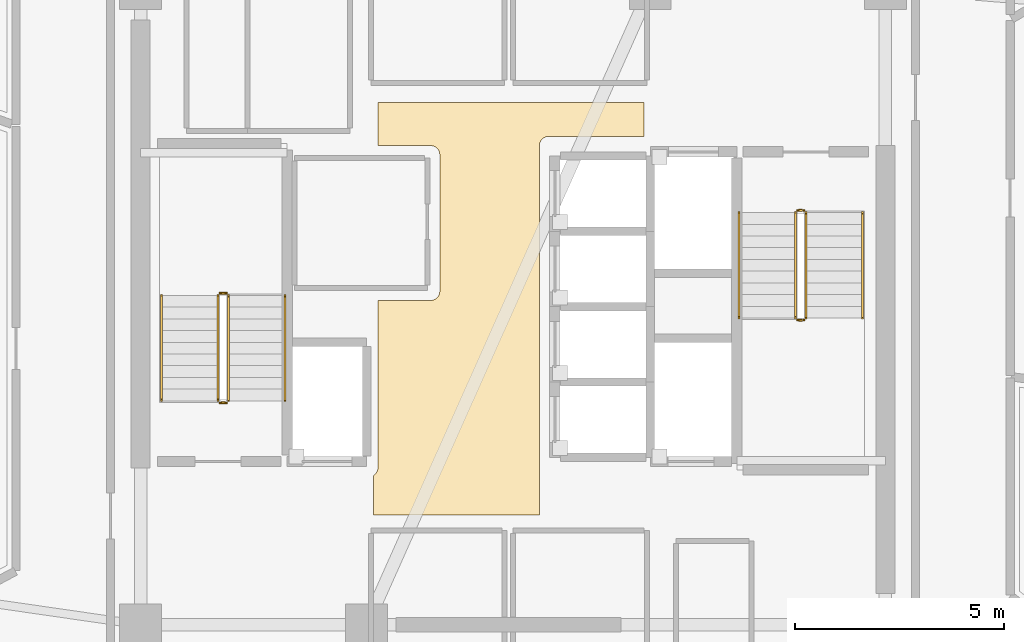
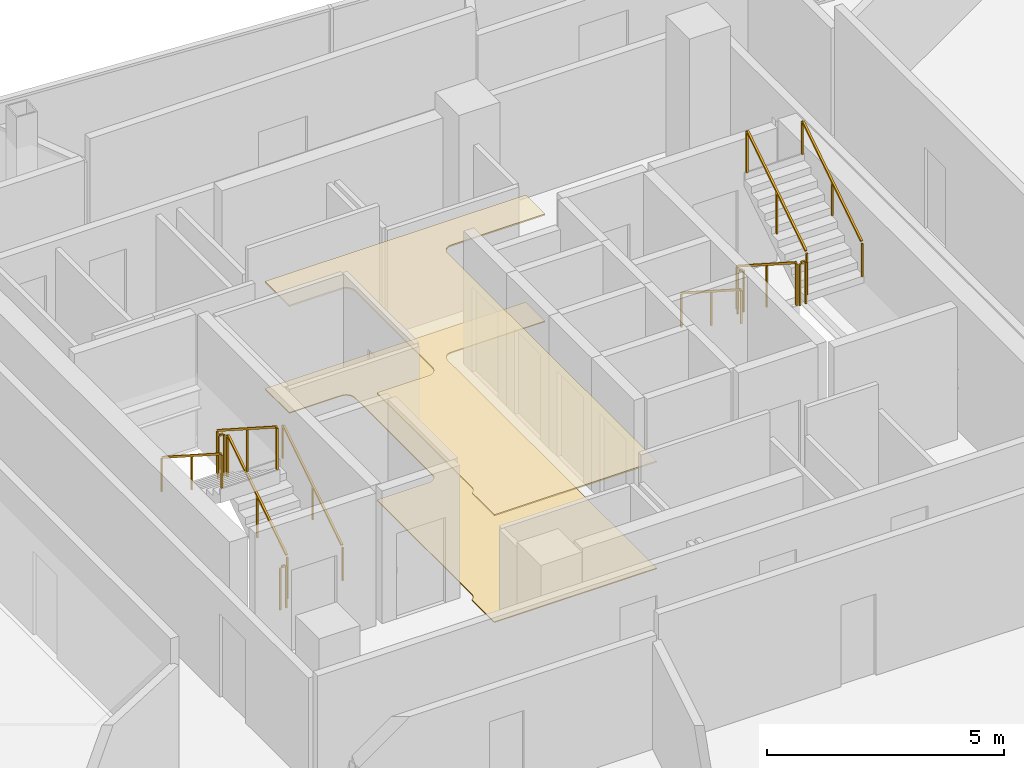
# One storey, part 13 of 13: 12 railings, 2 coverings.
"""IFC4 building model written with IfcOpenShell, lengths in metres."""

from ifc_helpers import new_model, si_unit, direction, frame, origin, origin_2d, place, context, subcontext, project, spatial, polyline, rectangle, outline, extrude, material, layer, layer_set, type_object, element, save


model = new_model("IFC4")

# Units and contexts
model_context = context("Model", 3, precision=1e-05, world=origin(), true_north=direction((0.0, 1.0)))
body_context = subcontext(model_context, "Body", "Model", "MODEL_VIEW")
ifc_project = project(units=[si_unit("LENGTHUNIT", "METRE"), si_unit("AREAUNIT", "SQUARE_METRE"), si_unit("VOLUMEUNIT", "CUBIC_METRE"), si_unit("PLANEANGLEUNIT", "RADIAN"), si_unit("MASSUNIT", "GRAM", prefix="KILO")], contexts=[model_context])

# Site, building, storey
site_placement = place(None, origin())
site = spatial("IfcSite", under=ifc_project, at=site_placement, CompositionType="ELEMENT")
building_placement = place(site_placement, origin())
building = spatial("IfcBuilding", under=site, at=building_placement, Name="Tharavind Bronze Gate", CompositionType="ELEMENT")
storey_placement = place(building_placement, frame((0.0, 0.0, 234.25)))
storey = spatial("IfcBuildingStorey", under=building, at=storey_placement, Name="L60", CompositionType="ELEMENT", Elevation=234.25)

# Coverings
ifc_material_1 = material(Name="Perforated Bronze Acoustic Panel", Category="bronze")
ifc_layer_1 = layer(ifc_material_1, 0.044921875)
ifc_layer_set_1 = layer_set([ifc_layer_1], Name="Perforated Bronze Acoustic Panel")
covering_type_1 = type_object("IfcCoveringType", Name="ACOUSTIC BRONZE BAFFLE CEILING", PredefinedType="CEILING", material=ifc_layer_set_1)
covering_1_placement = place(storey_placement, frame((0.0, 0.0, 2.75)))
element("IfcCovering", 1, at=covering_1_placement, inside=storey, type_object=covering_type_1, Name="L60-C-LL suspended ceiling", PredefinedType="CEILING", context=body_context, shape_type="SweptSolid", body=[
    extrude(outline(polyline([(-3.330078125, -4.97998046875), (0.6298828125, -4.97998046875), (0.6298828125, 3.85009765625), (0.631103515625, 3.87158203125), (0.63427734375, 3.892822265625), (0.639404296875, 3.913818359375), (0.646728515625, 3.93408203125), (0.656005859375, 3.95361328125), (0.6669921875, 3.97216796875), (0.679931640625, 3.989501953125), (0.6943359375, 4.005615234375), (0.71044921875, 4.02001953125), (0.727783203125, 4.032958984375), (0.746337890625, 4.0439453125), (0.765869140625, 4.05322265625), (0.7861328125, 4.060546875), (0.80712890625, 4.06591796875), (0.828369140625, 4.06884765625), (0.85009765625, 4.070068359375), (3.1298828125, 4.070068359375), (3.1298828125, 4.8798828125), (-3.22998046875, 4.8798828125), (-3.22998046875, 3.85009765625), (-1.969970703125, 3.85009765625), (-1.948486328125, 3.848876953125), (-1.927001953125, 3.845703125), (-1.906005859375, 3.840576171875), (-1.8857421875, 3.833251953125), (-1.8662109375, 3.823974609375), (-1.847900390625, 3.81298828125), (-1.830322265625, 3.800048828125), (-1.814453125, 3.78564453125), (-1.7998046875, 3.76953125), (-1.787109375, 3.752197265625), (-1.77587890625, 3.733642578125), (-1.7666015625, 3.714111328125), (-1.759521484375, 3.69384765625), (-1.754150390625, 3.6728515625), (-1.751220703125, 3.651611328125), (-1.75, 3.6298828125), (-1.75, 0.3701171875), (-1.751220703125, 0.348388671875), (-1.754150390625, 0.3271484375), (-1.759521484375, 0.30615234375), (-1.7666015625, 0.285888671875), (-1.77587890625, 0.266357421875), (-1.787109375, 0.247802734375), (-1.7998046875, 0.23046875), (-1.814453125, 0.21435546875), (-1.830322265625, 0.199951171875), (-1.847900390625, 0.18701171875), (-1.8662109375, 0.176025390625), (-1.8857421875, 0.166748046875), (-1.906005859375, 0.159423828125), (-1.927001953125, 0.154296875), (-1.948486328125, 0.151123046875), (-1.969970703125, 0.14990234375), (-3.22998046875, 0.14990234375), (-3.22998046875, -3.85009765625), (-3.231201171875, -3.87158203125), (-3.234130859375, -3.892822265625), (-3.239501953125, -3.913818359375), (-3.24658203125, -3.93408203125), (-3.256103515625, -3.95361328125), (-3.26708984375, -3.97216796875), (-3.27978515625, -3.989501953125), (-3.29443359375, -4.005615234375), (-3.310302734375, -4.02001953125), (-3.327880859375, -4.032958984375), (-3.330078125, -4.0341796875), (-3.330078125, -4.97998046875)])), origin(), (0.0, 0.0, 1.0), 0.034912109375),
])
ifc_material_2 = material(Name="Honed Travertine Limestone", Category="masonry")
ifc_layer_2 = layer(ifc_material_2, 0.030029296875)
ifc_layer_set_2 = layer_set([ifc_layer_2], Name="Honed Travertine Limestone")
covering_type_2 = type_object("IfcCoveringType", Name="HONED LIMESTONE FLOORING", PredefinedType="FLOORING", material=ifc_layer_set_2)
covering_2_placement = place(storey_placement, origin())
element("IfcCovering", 2, at=covering_2_placement, inside=storey, type_object=covering_type_2, Name="L60-C-LL floor finish", PredefinedType="FLOORING", context=body_context, shape_type="SweptSolid", body=[
    extrude(outline(polyline([(-3.330078125, -4.97998046875), (0.6298828125, -4.97998046875), (0.6298828125, 3.85009765625), (0.631103515625, 3.87158203125), (0.63427734375, 3.892822265625), (0.639404296875, 3.913818359375), (0.646728515625, 3.93408203125), (0.656005859375, 3.95361328125), (0.6669921875, 3.97216796875), (0.679931640625, 3.989501953125), (0.6943359375, 4.005615234375), (0.71044921875, 4.02001953125), (0.727783203125, 4.032958984375), (0.746337890625, 4.0439453125), (0.765869140625, 4.05322265625), (0.7861328125, 4.060546875), (0.80712890625, 4.06591796875), (0.828369140625, 4.06884765625), (0.85009765625, 4.070068359375), (3.1298828125, 4.070068359375), (3.1298828125, 4.8798828125), (-3.22998046875, 4.8798828125), (-3.22998046875, 3.85009765625), (-1.969970703125, 3.85009765625), (-1.948486328125, 3.848876953125), (-1.927001953125, 3.845703125), (-1.906005859375, 3.840576171875), (-1.8857421875, 3.833251953125), (-1.8662109375, 3.823974609375), (-1.847900390625, 3.81298828125), (-1.830322265625, 3.800048828125), (-1.814453125, 3.78564453125), (-1.7998046875, 3.76953125), (-1.787109375, 3.752197265625), (-1.77587890625, 3.733642578125), (-1.7666015625, 3.714111328125), (-1.759521484375, 3.69384765625), (-1.754150390625, 3.6728515625), (-1.751220703125, 3.651611328125), (-1.75, 3.6298828125), (-1.75, 0.3701171875), (-1.751220703125, 0.348388671875), (-1.754150390625, 0.3271484375), (-1.759521484375, 0.30615234375), (-1.7666015625, 0.285888671875), (-1.77587890625, 0.266357421875), (-1.787109375, 0.247802734375), (-1.7998046875, 0.23046875), (-1.814453125, 0.21435546875), (-1.830322265625, 0.199951171875), (-1.847900390625, 0.18701171875), (-1.8662109375, 0.176025390625), (-1.8857421875, 0.166748046875), (-1.906005859375, 0.159423828125), (-1.927001953125, 0.154296875), (-1.948486328125, 0.151123046875), (-1.969970703125, 0.14990234375), (-3.22998046875, 0.14990234375), (-3.22998046875, -3.85009765625), (-3.231201171875, -3.87158203125), (-3.234130859375, -3.892822265625), (-3.239501953125, -3.913818359375), (-3.24658203125, -3.93408203125), (-3.256103515625, -3.95361328125), (-3.26708984375, -3.97216796875), (-3.27978515625, -3.989501953125), (-3.29443359375, -4.005615234375), (-3.310302734375, -4.02001953125), (-3.327880859375, -4.032958984375), (-3.330078125, -4.0341796875), (-3.330078125, -4.97998046875)])), origin(), (0.0, 0.0, 1.0), 0.02490234375),
])

# Railings
ifc_material_3 = material(Name="Brushed Bronze Alloy", Category="metal")
railing_type_1 = type_object("IfcRailingType", Name="STAIR BRONZE HANDRAIL 900", PredefinedType="HANDRAIL", material=ifc_material_3)
railing_1_placement = place(storey_placement, frame((-5.449951171875, -2.25, 0.179931640625)))
element("IfcRailing", 3, at=railing_1_placement, inside=storey, type_object=railing_type_1, Name="L60 ST1 stair handrail 1", PredefinedType="HANDRAIL", context=body_context, shape_type="SweptSolid", body=[
    extrude(rectangle(XDim=0.048095703125, YDim=0.048095703125, at=origin_2d()), frame((0.0, 0.02685546875, 0.89306640625), z_axis=(0.0, 0.841162588446, 0.540782303519), x_axis=(-1.0, 0.0, 0.0)), (0.0, 0.0, 1.0), 2.931884765625),
    extrude(rectangle(XDim=0.0400390625, YDim=0.0400390625, at=origin_2d()), origin(), (0.0, 0.0, 1.0), 0.847900390625),
    extrude(rectangle(XDim=0.0400390625, YDim=0.0400390625, at=origin_2d()), frame((0.0, 1.260009765625, 0.81005859375)), (0.0, 0.0, 1.0), 0.847900390625),
    extrude(rectangle(XDim=0.0400390625, YDim=0.0400390625, at=origin_2d()), frame((0.0, 2.52001953125, 1.6201171875)), (0.0, 0.0, 1.0), 0.847900390625),
])
for number, where, name in (
    (4, (-8.39990234375, 0.27001953125, 1.97998046875), "L60 ST1 stair handrail 2"),
    (5, (5.39990234375, 2.25, 0.179931640625), "L60 ST2 stair handrail 1"),
):
    element("IfcRailing", number, at=place(storey_placement, frame(where)), inside=storey, type_object=railing_type_1, Name=name, PredefinedType="HANDRAIL", context=body_context, shape_type="SweptSolid", body=[
        extrude(rectangle(XDim=0.048095703125, YDim=0.048095703125, at=origin_2d()), frame((0.0, -0.02685546875, 0.89306640625), z_axis=(0.0, -0.841162588446, 0.540782303519), x_axis=(1.0, 0.0, 0.0)), (0.0, 0.0, 1.0), 2.931884765625),
        extrude(rectangle(XDim=0.0400390625, YDim=0.0400390625, at=origin_2d()), origin(), (0.0, 0.0, 1.0), 0.847900390625),
        extrude(rectangle(XDim=0.0400390625, YDim=0.0400390625, at=origin_2d()), frame((0.0, -1.260009765625, 0.81005859375)), (0.0, 0.0, 1.0), 0.847900390625),
        extrude(rectangle(XDim=0.0400390625, YDim=0.0400390625, at=origin_2d()), frame((0.0, -2.52001953125, 1.6201171875)), (0.0, 0.0, 1.0), 0.847900390625),
    ])
railing_2_placement = place(storey_placement, frame((8.35009765625, -0.27001953125, 1.97998046875)))
element("IfcRailing", 6, at=railing_2_placement, inside=storey, type_object=railing_type_1, Name="L60 ST2 stair handrail 2", PredefinedType="HANDRAIL", context=body_context, shape_type="SweptSolid", body=[
    extrude(rectangle(XDim=0.048095703125, YDim=0.048095703125, at=origin_2d()), frame((0.0, 0.02685546875, 0.89306640625), z_axis=(0.0, 0.841162588446, 0.540782303519), x_axis=(-1.0, 0.0, 0.0)), (0.0, 0.0, 1.0), 2.931884765625),
    extrude(rectangle(XDim=0.0400390625, YDim=0.0400390625, at=origin_2d()), origin(), (0.0, 0.0, 1.0), 0.847900390625),
    extrude(rectangle(XDim=0.0400390625, YDim=0.0400390625, at=origin_2d()), frame((0.0, 1.260009765625, 0.81005859375)), (0.0, 0.0, 1.0), 0.847900390625),
    extrude(rectangle(XDim=0.0400390625, YDim=0.0400390625, at=origin_2d()), frame((0.0, 2.52001953125, 1.6201171875)), (0.0, 0.0, 1.0), 0.847900390625),
])
railing_type_2 = type_object("IfcRailingType", Name="STAIR WELL GUARD RAILING 1120", PredefinedType="GUARDRAIL", material=ifc_material_3)
railing_3_placement = place(storey_placement, frame((-6.800048828125, -2.25, 0.179931640625)))
element("IfcRailing", 7, at=railing_3_placement, inside=storey, type_object=railing_type_2, Name="L60 ST1 stair guard 1", PredefinedType="GUARDRAIL", context=body_context, shape_type="SweptSolid", body=[
    extrude(rectangle(XDim=0.048095703125, YDim=0.048095703125, at=origin_2d()), frame((0.0, 0.02685546875, 1.11328125), z_axis=(0.0, 0.841162588446, 0.540782303519), x_axis=(-1.0, 0.0, 0.0)), (0.0, 0.0, 1.0), 2.931884765625),
    extrude(rectangle(XDim=0.0400390625, YDim=0.0400390625, at=origin_2d()), origin(), (0.0, 0.0, 1.0), 1.068115234375),
    extrude(rectangle(XDim=0.0400390625, YDim=0.0400390625, at=origin_2d()), frame((0.0, 1.260009765625, 0.81005859375)), (0.0, 0.0, 1.0), 1.068115234375),
    extrude(rectangle(XDim=0.0400390625, YDim=0.0400390625, at=origin_2d()), frame((0.0, 2.52001953125, 1.6201171875)), (0.0, 0.0, 1.0), 1.068115234375),
])
railing_4_placement = place(storey_placement, frame((-6.85009765625, 0.320068359375, 1.800048828125)))
element("IfcRailing", 8, at=railing_4_placement, inside=storey, type_object=railing_type_2, Name="L60 ST1 stair guard 2", PredefinedType="GUARDRAIL", context=body_context, shape_type="SweptSolid", body=[
    extrude(rectangle(XDim=0.048095703125, YDim=0.048095703125, at=origin_2d()), frame((-0.031982421875, 0.0, 1.09619140625), z_axis=(-1.0, 0.0, 0.0), x_axis=(0.0, -1.0, 0.0)), (0.0, 0.0, 1.0), 0.0859375),
    extrude(rectangle(XDim=0.0400390625, YDim=0.0400390625, at=origin_2d()), origin(), (0.0, 0.0, 1.0), 1.068115234375),
    extrude(rectangle(XDim=0.0400390625, YDim=0.0400390625, at=origin_2d()), frame((-0.14990234375, 0.0, 0.0)), (0.0, 0.0, 1.0), 1.068115234375),
])
railing_5_placement = place(storey_placement, frame((-7.050048828125, 0.27001953125, 1.97998046875)))
element("IfcRailing", 9, at=railing_5_placement, inside=storey, type_object=railing_type_2, Name="L60 ST1 stair guard 3", PredefinedType="GUARDRAIL", context=body_context, shape_type="SweptSolid", body=[
    extrude(rectangle(XDim=0.048095703125, YDim=0.048095703125, at=origin_2d()), frame((0.0, -0.02685546875, 1.11328125), z_axis=(0.0, -0.841162588446, 0.540782303519), x_axis=(1.0, 0.0, 0.0)), (0.0, 0.0, 1.0), 2.931884765625),
    extrude(rectangle(XDim=0.0400390625, YDim=0.0400390625, at=origin_2d()), origin(), (0.0, 0.0, 1.0), 1.068115234375),
    extrude(rectangle(XDim=0.0400390625, YDim=0.0400390625, at=origin_2d()), frame((0.0, -1.260009765625, 0.81005859375)), (0.0, 0.0, 1.0), 1.068115234375),
    extrude(rectangle(XDim=0.0400390625, YDim=0.0400390625, at=origin_2d()), frame((0.0, -2.52001953125, 1.6201171875)), (0.0, 0.0, 1.0), 1.068115234375),
])
railing_6_placement = place(storey_placement, frame((-6.85009765625, -2.300048828125, 0.0)))
element("IfcRailing", 10, at=railing_6_placement, inside=storey, type_object=railing_type_2, Name="L60 ST1 stair guard 4", PredefinedType="GUARDRAIL", context=body_context, shape_type="SweptSolid", body=[
    extrude(rectangle(XDim=0.048095703125, YDim=0.048095703125, at=origin_2d()), frame((-0.031982421875, 0.0, 1.09619140625), z_axis=(-1.0, 0.0, 0.0), x_axis=(0.0, -1.0, 0.0)), (0.0, 0.0, 1.0), 0.0859375),
    extrude(rectangle(XDim=0.0400390625, YDim=0.0400390625, at=origin_2d()), origin(), (0.0, 0.0, 1.0), 1.068115234375),
    extrude(rectangle(XDim=0.0400390625, YDim=0.0400390625, at=origin_2d()), frame((-0.14990234375, 0.0, 0.0)), (0.0, 0.0, 1.0), 1.068115234375),
])
railing_7_placement = place(storey_placement, frame((6.75, 2.25, 0.179931640625)))
element("IfcRailing", 11, at=railing_7_placement, inside=storey, type_object=railing_type_2, Name="L60 ST2 stair guard 1", PredefinedType="GUARDRAIL", context=body_context, shape_type="SweptSolid", body=[
    extrude(rectangle(XDim=0.048095703125, YDim=0.048095703125, at=origin_2d()), frame((0.0, -0.02685546875, 1.11328125), z_axis=(0.0, -0.841162588446, 0.540782303519), x_axis=(1.0, 0.0, 0.0)), (0.0, 0.0, 1.0), 2.931884765625),
    extrude(rectangle(XDim=0.0400390625, YDim=0.0400390625, at=origin_2d()), origin(), (0.0, 0.0, 1.0), 1.068115234375),
    extrude(rectangle(XDim=0.0400390625, YDim=0.0400390625, at=origin_2d()), frame((0.0, -1.260009765625, 0.81005859375)), (0.0, 0.0, 1.0), 1.068115234375),
    extrude(rectangle(XDim=0.0400390625, YDim=0.0400390625, at=origin_2d()), frame((0.0, -2.52001953125, 1.6201171875)), (0.0, 0.0, 1.0), 1.068115234375),
])
railing_8_placement = place(storey_placement, frame((6.800048828125, -0.320068359375, 1.800048828125)))
element("IfcRailing", 12, at=railing_8_placement, inside=storey, type_object=railing_type_2, Name="L60 ST2 stair guard 2", PredefinedType="GUARDRAIL", context=body_context, shape_type="SweptSolid", body=[
    extrude(rectangle(XDim=0.048095703125, YDim=0.048095703125, at=origin_2d()), frame((0.031982421875, 0.0, 1.09619140625), z_axis=(1.0, 0.0, 0.0), x_axis=(0.0, 1.0, 0.0)), (0.0, 0.0, 1.0), 0.0859375),
    extrude(rectangle(XDim=0.0400390625, YDim=0.0400390625, at=origin_2d()), origin(), (0.0, 0.0, 1.0), 1.068115234375),
    extrude(rectangle(XDim=0.0400390625, YDim=0.0400390625, at=origin_2d()), frame((0.14990234375, 0.0, 0.0)), (0.0, 0.0, 1.0), 1.068115234375),
])
railing_9_placement = place(storey_placement, frame((7.0, -0.27001953125, 1.97998046875)))
element("IfcRailing", 13, at=railing_9_placement, inside=storey, type_object=railing_type_2, Name="L60 ST2 stair guard 3", PredefinedType="GUARDRAIL", context=body_context, shape_type="SweptSolid", body=[
    extrude(rectangle(XDim=0.048095703125, YDim=0.048095703125, at=origin_2d()), frame((0.0, 0.02685546875, 1.11328125), z_axis=(0.0, 0.841162588446, 0.540782303519), x_axis=(-1.0, 0.0, 0.0)), (0.0, 0.0, 1.0), 2.931884765625),
    extrude(rectangle(XDim=0.0400390625, YDim=0.0400390625, at=origin_2d()), origin(), (0.0, 0.0, 1.0), 1.068115234375),
    extrude(rectangle(XDim=0.0400390625, YDim=0.0400390625, at=origin_2d()), frame((0.0, 1.260009765625, 0.81005859375)), (0.0, 0.0, 1.0), 1.068115234375),
    extrude(rectangle(XDim=0.0400390625, YDim=0.0400390625, at=origin_2d()), frame((0.0, 2.52001953125, 1.6201171875)), (0.0, 0.0, 1.0), 1.068115234375),
])
railing_10_placement = place(storey_placement, frame((6.800048828125, 2.300048828125, 0.0)))
element("IfcRailing", 14, at=railing_10_placement, inside=storey, type_object=railing_type_2, Name="L60 ST2 stair guard 4", PredefinedType="GUARDRAIL", context=body_context, shape_type="SweptSolid", body=[
    extrude(rectangle(XDim=0.048095703125, YDim=0.048095703125, at=origin_2d()), frame((0.031982421875, 0.0, 1.09619140625), z_axis=(1.0, 0.0, 0.0), x_axis=(0.0, 1.0, 0.0)), (0.0, 0.0, 1.0), 0.0859375),
    extrude(rectangle(XDim=0.0400390625, YDim=0.0400390625, at=origin_2d()), origin(), (0.0, 0.0, 1.0), 1.068115234375),
    extrude(rectangle(XDim=0.0400390625, YDim=0.0400390625, at=origin_2d()), frame((0.14990234375, 0.0, 0.0)), (0.0, 0.0, 1.0), 1.068115234375),
])

save(model, "model.ifc")
